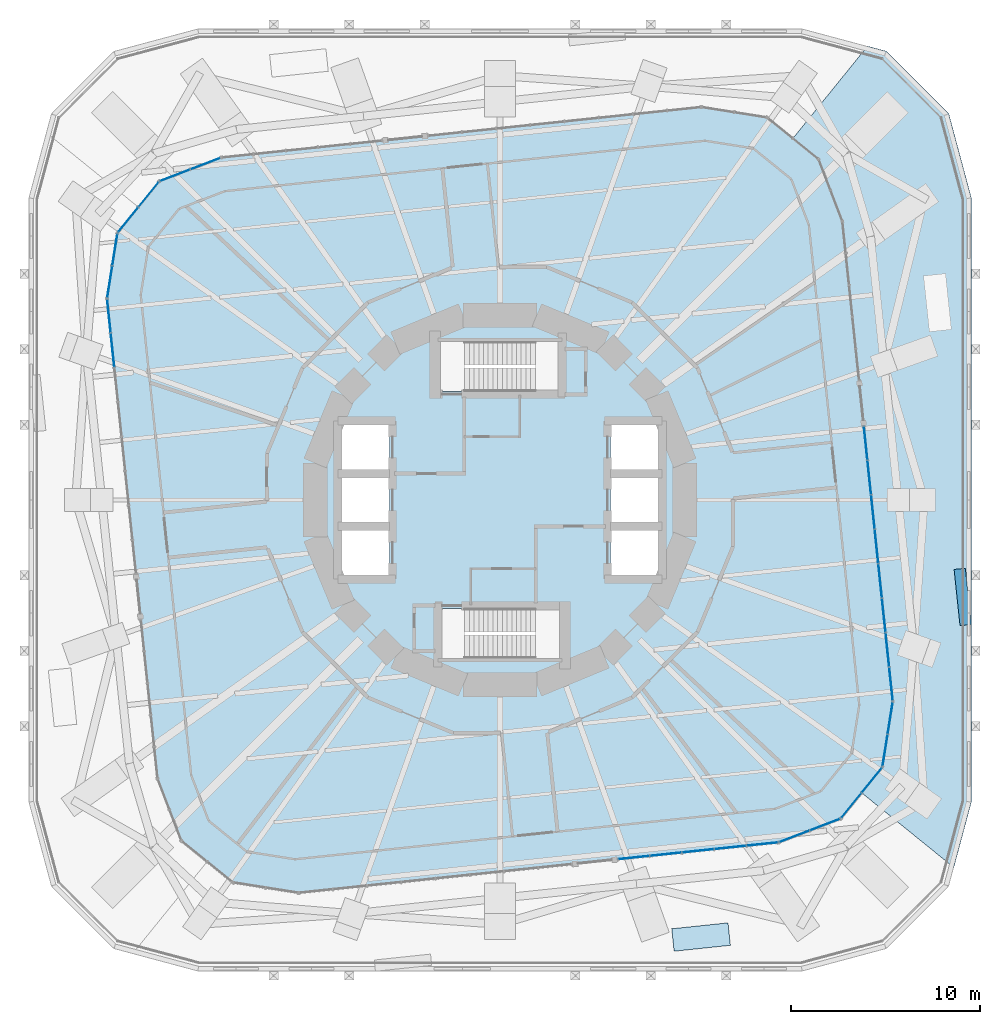
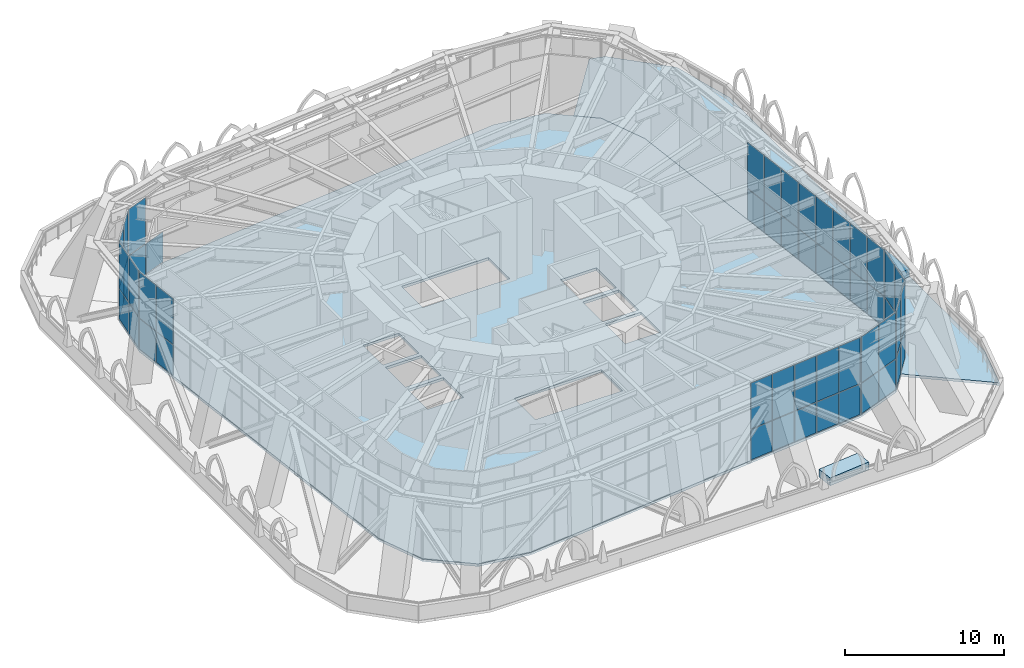
# One storey, part 13 of 20: 55 plates, 2 slabs, 9 elements without a shape of their own.
"""IFC4 building model written with IfcOpenShell, lengths in metres."""

from ifc_helpers import new_model, si_unit, direction, frame, origin, origin_2d, place, context, subcontext, project, spatial, polyline, rectangle, outline, extrude, material, layer, layer_set, type_object, element, aggregate, save


model = new_model("IFC4")

# Units and contexts
model_context = context("Model", 3, precision=1e-05, world=origin(), true_north=direction((0.0, 1.0)))
body_context = subcontext(model_context, "Body", "Model", "MODEL_VIEW")
ifc_project = project(units=[si_unit("LENGTHUNIT", "METRE"), si_unit("AREAUNIT", "SQUARE_METRE"), si_unit("VOLUMEUNIT", "CUBIC_METRE"), si_unit("PLANEANGLEUNIT", "RADIAN"), si_unit("MASSUNIT", "GRAM", prefix="KILO")], contexts=[model_context])

# Site, building, storey
site_placement = place(None, origin())
site = spatial("IfcSite", under=ifc_project, at=site_placement, CompositionType="ELEMENT")
building_placement = place(site_placement, origin())
building = spatial("IfcBuilding", under=site, at=building_placement, Name="Nakasero Lantern House", CompositionType="ELEMENT")
storey_placement = place(building_placement, frame((0.0, 0.0, 54.5)))
storey = spatial("IfcBuildingStorey", under=building, at=storey_placement, Name="L13", CompositionType="ELEMENT", Elevation=54.5)

# Slab
ifc_material_1 = material(Name="Concrete C35/45", Category="concrete")
ifc_layer_1 = layer(ifc_material_1, 0.199951171875)
ifc_layer_set_1 = layer_set([ifc_layer_1], Name="Composite floor slab 200")
slab_type_1 = type_object("IfcSlabType", Name="Composite floor slab 200", PredefinedType="FLOOR", material=ifc_layer_set_1)
slab_1_placement = place(storey_placement, frame((0.0, 0.0, -0.199951171875)))
element("IfcSlab", 1, at=slab_1_placement, inside=storey, type_object=slab_type_1, Name="Floor slab L13", PredefinedType="FLOOR", context=body_context, shape_type="SweptSolid", body=[
    extrude(outline(polyline([(20.82958984375, -10.68115234375), (18.153564453125, 14.778564453125), (16.892333984375, 18.064208984375), (14.1572265625, 20.279052734375), (10.68115234375, 20.82958984375), (-14.778564453125, 18.153564453125), (-18.064208984375, 16.892333984375), (-20.279052734375, 14.1572265625), (-20.82958984375, 10.68115234375), (-18.153564453125, -14.778564453125), (-16.892333984375, -18.064208984375), (-14.1572265625, -20.279052734375), (-10.68115234375, -20.82958984375), (14.778564453125, -18.153564453125), (18.064208984375, -16.892333984375), (20.279052734375, -14.1572265625), (20.82958984375, -10.68115234375)]), holes=[polyline([(-8.449951171875, -4.050048828125), (-5.85009765625, -4.050048828125), (-5.85009765625, -1.550048828125), (-8.449951171875, -1.550048828125), (-8.449951171875, -4.050048828125)]), polyline([(-8.449951171875, -1.25), (-5.85009765625, -1.25), (-5.85009765625, 1.25), (-8.449951171875, 1.25), (-8.449951171875, -1.25)]), polyline([(-8.449951171875, 1.550048828125), (-5.85009765625, 1.550048828125), (-5.85009765625, 4.050048828125), (-8.449951171875, 4.050048828125), (-8.449951171875, 1.550048828125)]), polyline([(5.85009765625, -4.050048828125), (8.449951171875, -4.050048828125), (8.449951171875, -1.550048828125), (5.85009765625, -1.550048828125), (5.85009765625, -4.050048828125)]), polyline([(5.85009765625, -1.25), (8.449951171875, -1.25), (8.449951171875, 1.25), (5.85009765625, 1.25), (5.85009765625, -1.25)]), polyline([(5.85009765625, 1.550048828125), (8.449951171875, 1.550048828125), (8.449951171875, 4.050048828125), (5.85009765625, 4.050048828125), (5.85009765625, 1.550048828125)]), polyline([(-3.14990234375, 5.75), (3.14990234375, 5.75), (3.14990234375, 8.39990234375), (-3.14990234375, 8.39990234375), (-3.14990234375, 5.75)]), polyline([(-3.14990234375, -8.39990234375), (3.14990234375, -8.39990234375), (3.14990234375, -5.75), (-3.14990234375, -5.75), (-3.14990234375, -8.39990234375)])]), origin(), (0.0, 0.0, 1.0), 0.199951171875),
])

# Curtain wall, plates
ifc_material_2 = material(Name="Aluminium 6063-T6 and glass", Category="aluminium")
curtain_wall_type = type_object("IfcCurtainWallType", Name="Sky lounge glazing CW-3", PredefinedType="USERDEFINED", material=ifc_material_2)
curtain_wall_1_placement = place(storey_placement, origin())
curtain_wall_1 = element("IfcCurtainWall", 2, at=curtain_wall_1_placement, inside=storey, type_object=curtain_wall_type, Name="Curtain wall CW-3 L13", ObjectType="STICK CURTAIN WALL", PredefinedType="USERDEFINED")
ifc_material_3 = material(Name="Glass", Category="glass")
ifc_layer_2 = layer(ifc_material_3, 0.028076171875)
ifc_layer_set_2 = layer_set([ifc_layer_2], Name="Glazed panel CW-3")
plate_type_1 = type_object("IfcPlateType", Name="Glazed panel CW-3", PredefinedType="CURTAIN_PANEL", material=ifc_layer_set_2)
plate_1_placement = place(storey_placement, frame((20.157470703125, -4.28515625, 0.06005859375), z_axis=(0.0, 0.0, 1.0), x_axis=(-0.104528463268, 0.994521895368, 0.0)))
plate_1 = element("IfcPlate", 3, at=plate_1_placement, type_object=plate_type_1, Name="CW-3 panel 4.1", PredefinedType="CURTAIN_PANEL", context=body_context, shape_type="SweptSolid", body=[
    extrude(rectangle(XDim=1.777587890625, YDim=0.028076171875, at=origin_2d()), origin(), (0.0, 0.0, 1.0), 2.31005859375),
])
plate_2_placement = place(storey_placement, frame((20.157470703125, -4.28515625, 2.43017578125), z_axis=(0.0, 0.0, 1.0), x_axis=(-0.104528463268, 0.994521895368, 0.0)))
plate_2 = element("IfcPlate", 4, at=plate_2_placement, type_object=plate_type_1, Name="CW-3 panel 4.2", PredefinedType="CURTAIN_PANEL", context=body_context, shape_type="SweptSolid", body=[
    extrude(rectangle(XDim=1.777587890625, YDim=0.028076171875, at=origin_2d()), origin(), (0.0, 0.0, 1.0), 3.510009765625),
])
plate_3_placement = place(storey_placement, frame((19.96533203125, -2.457763671875, 0.06005859375), z_axis=(0.0, 0.0, 1.0), x_axis=(-0.104528463268, 0.994521895368, 0.0)))
plate_3 = element("IfcPlate", 5, at=plate_3_placement, type_object=plate_type_1, Name="CW-3 panel 5.1", PredefinedType="CURTAIN_PANEL", context=body_context, shape_type="SweptSolid", body=[
    extrude(rectangle(XDim=1.777587890625, YDim=0.028076171875, at=origin_2d()), origin(), (0.0, 0.0, 1.0), 2.31005859375),
])
plate_4_placement = place(storey_placement, frame((19.96533203125, -2.457763671875, 2.43017578125), z_axis=(0.0, 0.0, 1.0), x_axis=(-0.104528463268, 0.994521895368, 0.0)))
plate_4 = element("IfcPlate", 6, at=plate_4_placement, type_object=plate_type_1, Name="CW-3 panel 5.2", PredefinedType="CURTAIN_PANEL", context=body_context, shape_type="SweptSolid", body=[
    extrude(rectangle(XDim=1.777587890625, YDim=0.028076171875, at=origin_2d()), origin(), (0.0, 0.0, 1.0), 3.510009765625),
])
plate_5_placement = place(storey_placement, frame((19.390625, 3.009521484375, 0.06005859375), z_axis=(0.0, 0.0, 1.0), x_axis=(-0.104528463268, 0.994521895368, 0.0)))
plate_5 = element("IfcPlate", 7, at=plate_5_placement, type_object=plate_type_1, Name="CW-3 panel 8.1", PredefinedType="CURTAIN_PANEL", context=body_context, shape_type="SweptSolid", body=[
    extrude(rectangle(XDim=1.74755859375, YDim=0.028076171875, at=origin_2d()), origin(), (0.0, 0.0, 1.0), 2.31005859375),
])
plate_6_placement = place(storey_placement, frame((19.390625, 3.009521484375, 2.43017578125), z_axis=(0.0, 0.0, 1.0), x_axis=(-0.104528463268, 0.994521895368, 0.0)))
plate_6 = element("IfcPlate", 8, at=plate_6_placement, type_object=plate_type_1, Name="CW-3 panel 8.2", PredefinedType="CURTAIN_PANEL", context=body_context, shape_type="SweptSolid", body=[
    extrude(rectangle(XDim=1.74755859375, YDim=0.028076171875, at=origin_2d()), origin(), (0.0, 0.0, 1.0), 3.510009765625),
])

# Curtain wall, plate
curtain_wall_2_placement = place(storey_placement, origin())
curtain_wall_2 = element("IfcCurtainWall", 9, at=curtain_wall_2_placement, inside=storey, type_object=curtain_wall_type, Name="Curtain wall CW-3 L13", ObjectType="STICK CURTAIN WALL", PredefinedType="USERDEFINED")
plate_7_placement = place(storey_placement, frame((-15.614013671875, 17.8330078125, 0.06005859375), z_axis=(0.0, 0.0, 1.0), x_axis=(-0.933580426591, -0.358367949301, 0.0)))
plate_7 = element("IfcPlate", 10, at=plate_7_placement, type_object=plate_type_1, Name="CW-3 panel 1.1", PredefinedType="CURTAIN_PANEL", context=body_context, shape_type="SweptSolid", body=[
    extrude(rectangle(XDim=1.669677734375, YDim=0.028076171875, at=origin_2d()), origin(), (0.0, 0.0, 1.0), 2.31005859375),
])

# Curtain wall, plates
curtain_wall_3_placement = place(storey_placement, origin())
curtain_wall_3 = element("IfcCurtainWall", 11, at=curtain_wall_3_placement, inside=storey, type_object=curtain_wall_type, Name="Curtain wall CW-3 L13", ObjectType="STICK CURTAIN WALL", PredefinedType="USERDEFINED")
plate_8_placement = place(storey_placement, frame((-20.4189453125, 13.2734375, 0.06005859375), z_axis=(0.0, 0.0, 1.0), x_axis=(-0.156434465023, -0.987688340598, 0.0)))
plate_8 = element("IfcPlate", 12, at=plate_8_placement, type_object=plate_type_1, Name="CW-3 panel 1.1", PredefinedType="CURTAIN_PANEL", context=body_context, shape_type="SweptSolid", body=[
    extrude(rectangle(XDim=1.669677734375, YDim=0.028076171875, at=origin_2d()), origin(), (0.0, 0.0, 1.0), 2.31005859375),
])
plate_9_placement = place(storey_placement, frame((-20.4189453125, 13.2734375, 2.43017578125), z_axis=(0.0, 0.0, 1.0), x_axis=(-0.156434465023, -0.987688340598, 0.0)))
plate_9 = element("IfcPlate", 13, at=plate_9_placement, type_object=plate_type_1, Name="CW-3 panel 1.2", PredefinedType="CURTAIN_PANEL", context=body_context, shape_type="SweptSolid", body=[
    extrude(rectangle(XDim=1.669677734375, YDim=0.028076171875, at=origin_2d()), origin(), (0.0, 0.0, 1.0), 3.510009765625),
])

curtain_wall_4_placement = place(storey_placement, origin())
curtain_wall_4 = element("IfcCurtainWall", 14, at=curtain_wall_4_placement, inside=storey, type_object=curtain_wall_type, Name="Curtain wall CW-3 L13", ObjectType="STICK CURTAIN WALL", PredefinedType="USERDEFINED")
plate_10_placement = place(storey_placement, frame((8.79150390625, -18.782958984375, 0.06005859375), z_axis=(0.0, 0.0, 1.0), x_axis=(0.994521895357, 0.104528463372, 0.0)))
plate_10 = element("IfcPlate", 15, at=plate_10_placement, type_object=plate_type_1, Name="CW-3 panel 2.1", PredefinedType="CURTAIN_PANEL", context=body_context, shape_type="SweptSolid", body=[
    extrude(rectangle(XDim=1.659912109375, YDim=0.028076171875, at=origin_2d()), origin(), (0.0, 0.0, 1.0), 2.31005859375),
])
plate_11_placement = place(storey_placement, frame((8.79150390625, -18.782958984375, 2.43017578125), z_axis=(0.0, 0.0, 1.0), x_axis=(0.994521895357, 0.104528463372, 0.0)))
plate_11 = element("IfcPlate", 16, at=plate_11_placement, type_object=plate_type_1, Name="CW-3 panel 2.2", PredefinedType="CURTAIN_PANEL", context=body_context, shape_type="SweptSolid", body=[
    extrude(rectangle(XDim=1.659912109375, YDim=0.028076171875, at=origin_2d()), origin(), (0.0, 0.0, 1.0), 3.510009765625),
])
plate_12_placement = place(storey_placement, frame((10.502197265625, -18.60302734375, 0.06005859375), z_axis=(0.0, 0.0, 1.0), x_axis=(0.994521895357, 0.104528463372, 0.0)))
plate_12 = element("IfcPlate", 17, at=plate_12_placement, type_object=plate_type_1, Name="CW-3 panel 3.1", PredefinedType="CURTAIN_PANEL", context=body_context, shape_type="SweptSolid", body=[
    extrude(rectangle(XDim=1.659912109375, YDim=0.028076171875, at=origin_2d()), origin(), (0.0, 0.0, 1.0), 2.31005859375),
])
plate_13_placement = place(storey_placement, frame((10.502197265625, -18.60302734375, 2.43017578125), z_axis=(0.0, 0.0, 1.0), x_axis=(0.994521895357, 0.104528463372, 0.0)))
plate_13 = element("IfcPlate", 18, at=plate_13_placement, type_object=plate_type_1, Name="CW-3 panel 3.2", PredefinedType="CURTAIN_PANEL", context=body_context, shape_type="SweptSolid", body=[
    extrude(rectangle(XDim=1.659912109375, YDim=0.028076171875, at=origin_2d()), origin(), (0.0, 0.0, 1.0), 3.510009765625),
])
plate_14_placement = place(storey_placement, frame((12.212646484375, -18.42333984375, 0.06005859375), z_axis=(0.0, 0.0, 1.0), x_axis=(0.994521895357, 0.104528463372, 0.0)))
plate_14 = element("IfcPlate", 19, at=plate_14_placement, type_object=plate_type_1, Name="CW-3 panel 4.1", PredefinedType="CURTAIN_PANEL", context=body_context, shape_type="SweptSolid", body=[
    extrude(rectangle(XDim=1.659912109375, YDim=0.028076171875, at=origin_2d()), origin(), (0.0, 0.0, 1.0), 2.31005859375),
])
plate_15_placement = place(storey_placement, frame((12.212646484375, -18.42333984375, 2.43017578125), z_axis=(0.0, 0.0, 1.0), x_axis=(0.994521895357, 0.104528463372, 0.0)))
plate_15 = element("IfcPlate", 20, at=plate_15_placement, type_object=plate_type_1, Name="CW-3 panel 4.2", PredefinedType="CURTAIN_PANEL", context=body_context, shape_type="SweptSolid", body=[
    extrude(rectangle(XDim=1.659912109375, YDim=0.028076171875, at=origin_2d()), origin(), (0.0, 0.0, 1.0), 3.510009765625),
])

curtain_wall_5_placement = place(storey_placement, origin())
curtain_wall_5 = element("IfcCurtainWall", 21, at=curtain_wall_5_placement, inside=storey, type_object=curtain_wall_type, Name="Curtain wall CW-3 L13", ObjectType="STICK CURTAIN WALL", PredefinedType="USERDEFINED")
plate_16_placement = place(storey_placement, frame((15.614013671875, -17.8330078125, 0.06005859375), z_axis=(0.0, 0.0, 1.0), x_axis=(0.933580426591, 0.358367949301, 0.0)))
plate_16 = element("IfcPlate", 22, at=plate_16_placement, type_object=plate_type_1, Name="CW-3 panel 1.1", PredefinedType="CURTAIN_PANEL", context=body_context, shape_type="SweptSolid", body=[
    extrude(rectangle(XDim=1.669677734375, YDim=0.028076171875, at=origin_2d()), origin(), (0.0, 0.0, 1.0), 2.31005859375),
])
plate_17_placement = place(storey_placement, frame((15.614013671875, -17.8330078125, 2.43017578125), z_axis=(0.0, 0.0, 1.0), x_axis=(0.933580426591, 0.358367949301, 0.0)))
plate_17 = element("IfcPlate", 23, at=plate_17_placement, type_object=plate_type_1, Name="CW-3 panel 1.2", PredefinedType="CURTAIN_PANEL", context=body_context, shape_type="SweptSolid", body=[
    extrude(rectangle(XDim=1.669677734375, YDim=0.028076171875, at=origin_2d()), origin(), (0.0, 0.0, 1.0), 3.510009765625),
])

curtain_wall_6_placement = place(storey_placement, origin())
curtain_wall_6 = element("IfcCurtainWall", 24, at=curtain_wall_6_placement, inside=storey, type_object=curtain_wall_type, Name="Curtain wall CW-3 L13", ObjectType="STICK CURTAIN WALL", PredefinedType="USERDEFINED")
plate_18_placement = place(storey_placement, frame((20.4189453125, -13.2734375, 0.06005859375), z_axis=(0.0, 0.0, 1.0), x_axis=(0.156434465023, 0.987688340598, 0.0)))
plate_18 = element("IfcPlate", 25, at=plate_18_placement, type_object=plate_type_1, Name="CW-3 panel 1.1", PredefinedType="CURTAIN_PANEL", context=body_context, shape_type="SweptSolid", body=[
    extrude(rectangle(XDim=1.669677734375, YDim=0.028076171875, at=origin_2d()), origin(), (0.0, 0.0, 1.0), 2.31005859375),
])
plate_19_placement = place(storey_placement, frame((20.4189453125, -13.2734375, 2.43017578125), z_axis=(0.0, 0.0, 1.0), x_axis=(0.156434465023, 0.987688340598, 0.0)))
plate_19 = element("IfcPlate", 26, at=plate_19_placement, type_object=plate_type_1, Name="CW-3 panel 1.2", PredefinedType="CURTAIN_PANEL", context=body_context, shape_type="SweptSolid", body=[
    extrude(rectangle(XDim=1.669677734375, YDim=0.028076171875, at=origin_2d()), origin(), (0.0, 0.0, 1.0), 3.510009765625),
])

# Plate
ifc_material_4 = material(Name="Aluminium 6063-T6 and insulation", Category="aluminium")
ifc_layer_3 = layer(ifc_material_4, 0.028076171875)
ifc_layer_set_3 = layer_set([ifc_layer_3], Name="Insulated panel CW-3")
plate_type_2 = type_object("IfcPlateType", Name="Insulated panel CW-3", PredefinedType="CURTAIN_PANEL", material=ifc_layer_set_3)
plate_20_placement = place(storey_placement, frame((20.73193359375, -9.752685546875, 0.06005859375), z_axis=(0.0, 0.0, 1.0), x_axis=(-0.104528463268, 0.994521895368, 0.0)))
plate_20 = element("IfcPlate", 27, at=plate_20_placement, type_object=plate_type_2, Name="CW-3 panel 1.1", PredefinedType="CURTAIN_PANEL", context=body_context, shape_type="SweptSolid", body=[
    extrude(rectangle(XDim=1.74755859375, YDim=0.028076171875, at=origin_2d()), origin(), (0.0, 0.0, 1.0), 2.31005859375),
])

plate_21_placement = place(storey_placement, frame((20.73193359375, -9.752685546875, 2.43017578125), z_axis=(0.0, 0.0, 1.0), x_axis=(-0.104528463268, 0.994521895368, 0.0)))
plate_21 = element("IfcPlate", 28, at=plate_21_placement, type_object=plate_type_2, Name="CW-3 panel 1.2", PredefinedType="CURTAIN_PANEL", context=body_context, shape_type="SweptSolid", body=[
    extrude(rectangle(XDim=1.74755859375, YDim=0.028076171875, at=origin_2d()), origin(), (0.0, 0.0, 1.0), 3.510009765625),
])

plate_22_placement = place(storey_placement, frame((20.54150390625, -7.940185546875, 0.06005859375), z_axis=(0.0, 0.0, 1.0), x_axis=(-0.104528463268, 0.994521895368, 0.0)))
plate_22 = element("IfcPlate", 29, at=plate_22_placement, type_object=plate_type_2, Name="CW-3 panel 2.1", PredefinedType="CURTAIN_PANEL", context=body_context, shape_type="SweptSolid", body=[
    extrude(rectangle(XDim=1.777587890625, YDim=0.028076171875, at=origin_2d()), origin(), (0.0, 0.0, 1.0), 2.31005859375),
])

plate_23_placement = place(storey_placement, frame((20.54150390625, -7.940185546875, 2.43017578125), z_axis=(0.0, 0.0, 1.0), x_axis=(-0.104528463268, 0.994521895368, 0.0)))
plate_23 = element("IfcPlate", 30, at=plate_23_placement, type_object=plate_type_2, Name="CW-3 panel 2.2", PredefinedType="CURTAIN_PANEL", context=body_context, shape_type="SweptSolid", body=[
    extrude(rectangle(XDim=1.777587890625, YDim=0.028076171875, at=origin_2d()), origin(), (0.0, 0.0, 1.0), 3.510009765625),
])

plate_24_placement = place(storey_placement, frame((20.349365234375, -6.112548828125, 0.06005859375), z_axis=(0.0, 0.0, 1.0), x_axis=(-0.104528463268, 0.994521895368, 0.0)))
plate_24 = element("IfcPlate", 31, at=plate_24_placement, type_object=plate_type_2, Name="CW-3 panel 3.1", PredefinedType="CURTAIN_PANEL", context=body_context, shape_type="SweptSolid", body=[
    extrude(rectangle(XDim=1.777587890625, YDim=0.028076171875, at=origin_2d()), origin(), (0.0, 0.0, 1.0), 2.31005859375),
])

plate_25_placement = place(storey_placement, frame((20.349365234375, -6.112548828125, 2.43017578125), z_axis=(0.0, 0.0, 1.0), x_axis=(-0.104528463268, 0.994521895368, 0.0)))
plate_25 = element("IfcPlate", 32, at=plate_25_placement, type_object=plate_type_2, Name="CW-3 panel 3.2", PredefinedType="CURTAIN_PANEL", context=body_context, shape_type="SweptSolid", body=[
    extrude(rectangle(XDim=1.777587890625, YDim=0.028076171875, at=origin_2d()), origin(), (0.0, 0.0, 1.0), 3.510009765625),
])

plate_26_placement = place(storey_placement, frame((19.773193359375, -0.63037109375, 0.06005859375), z_axis=(0.0, 0.0, 1.0), x_axis=(-0.104528463268, 0.994521895368, 0.0)))
plate_26 = element("IfcPlate", 33, at=plate_26_placement, type_object=plate_type_2, Name="CW-3 panel 6.1", PredefinedType="CURTAIN_PANEL", context=body_context, shape_type="SweptSolid", body=[
    extrude(rectangle(XDim=1.777587890625, YDim=0.028076171875, at=origin_2d()), origin(), (0.0, 0.0, 1.0), 2.31005859375),
])

plate_27_placement = place(storey_placement, frame((19.773193359375, -0.63037109375, 2.43017578125), z_axis=(0.0, 0.0, 1.0), x_axis=(-0.104528463268, 0.994521895368, 0.0)))
plate_27 = element("IfcPlate", 34, at=plate_27_placement, type_object=plate_type_2, Name="CW-3 panel 6.2", PredefinedType="CURTAIN_PANEL", context=body_context, shape_type="SweptSolid", body=[
    extrude(rectangle(XDim=1.777587890625, YDim=0.028076171875, at=origin_2d()), origin(), (0.0, 0.0, 1.0), 3.510009765625),
])

plate_28_placement = place(storey_placement, frame((19.5810546875, 1.197021484375, 0.06005859375), z_axis=(0.0, 0.0, 1.0), x_axis=(-0.104528463268, 0.994521895368, 0.0)))
plate_28 = element("IfcPlate", 35, at=plate_28_placement, type_object=plate_type_2, Name="CW-3 panel 7.1", PredefinedType="CURTAIN_PANEL", context=body_context, shape_type="SweptSolid", body=[
    extrude(rectangle(XDim=1.777587890625, YDim=0.028076171875, at=origin_2d()), origin(), (0.0, 0.0, 1.0), 2.31005859375),
])

plate_29_placement = place(storey_placement, frame((19.5810546875, 1.197021484375, 2.43017578125), z_axis=(0.0, 0.0, 1.0), x_axis=(-0.104528463268, 0.994521895368, 0.0)))
plate_29 = element("IfcPlate", 36, at=plate_29_placement, type_object=plate_type_2, Name="CW-3 panel 7.2", PredefinedType="CURTAIN_PANEL", context=body_context, shape_type="SweptSolid", body=[
    extrude(rectangle(XDim=1.777587890625, YDim=0.028076171875, at=origin_2d()), origin(), (0.0, 0.0, 1.0), 3.510009765625),
])

aggregate(curtain_wall_1, [plate_20, plate_21, plate_22, plate_23, plate_24, plate_25, plate_1, plate_2, plate_3, plate_4, plate_26, plate_27, plate_28, plate_29, plate_5, plate_6])

plate_30_placement = place(storey_placement, frame((-17.228759765625, 17.213134765625, 0.06005859375), z_axis=(0.0, 0.0, 1.0), x_axis=(-0.933580426591, -0.358367949301, 0.0)))
plate_30 = element("IfcPlate", 37, at=plate_30_placement, type_object=plate_type_2, Name="CW-3 panel 2.1", PredefinedType="CURTAIN_PANEL", context=body_context, shape_type="SweptSolid", body=[
    extrude(rectangle(XDim=1.669677734375, YDim=0.028076171875, at=origin_2d()), origin(), (0.0, 0.0, 1.0), 2.31005859375),
])

plate_31_placement = place(storey_placement, frame((-17.228759765625, 17.213134765625, 2.43017578125), z_axis=(0.0, 0.0, 1.0), x_axis=(-0.933580426591, -0.358367949301, 0.0)))
plate_31 = element("IfcPlate", 38, at=plate_31_placement, type_object=plate_type_2, Name="CW-3 panel 2.2", PredefinedType="CURTAIN_PANEL", context=body_context, shape_type="SweptSolid", body=[
    extrude(rectangle(XDim=1.669677734375, YDim=0.028076171875, at=origin_2d()), origin(), (0.0, 0.0, 1.0), 3.510009765625),
])

aggregate(curtain_wall_2, [plate_7, plate_30, plate_31])

# Curtain wall, plates
curtain_wall_7_placement = place(storey_placement, origin())
curtain_wall_7 = element("IfcCurtainWall", 39, at=curtain_wall_7_placement, inside=storey, type_object=curtain_wall_type, Name="Curtain wall CW-3 L13", ObjectType="STICK CURTAIN WALL", PredefinedType="USERDEFINED")
plate_32_placement = place(storey_placement, frame((-18.62744140625, 16.197021484375, 0.06005859375), z_axis=(0.0, 0.0, 1.0), x_axis=(-0.629320390941, -0.777145961545, 0.0)))
plate_32 = element("IfcPlate", 40, at=plate_32_placement, type_object=plate_type_2, Name="CW-3 panel 1.1", PredefinedType="CURTAIN_PANEL", context=body_context, shape_type="SweptSolid", body=[
    extrude(rectangle(XDim=1.669677734375, YDim=0.028076171875, at=origin_2d()), origin(), (0.0, 0.0, 1.0), 2.31005859375),
])
plate_33_placement = place(storey_placement, frame((-18.62744140625, 16.197021484375, 2.43017578125), z_axis=(0.0, 0.0, 1.0), x_axis=(-0.629320390941, -0.777145961545, 0.0)))
plate_33 = element("IfcPlate", 41, at=plate_33_placement, type_object=plate_type_2, Name="CW-3 panel 1.2", PredefinedType="CURTAIN_PANEL", context=body_context, shape_type="SweptSolid", body=[
    extrude(rectangle(XDim=1.669677734375, YDim=0.028076171875, at=origin_2d()), origin(), (0.0, 0.0, 1.0), 3.510009765625),
])
plate_34_placement = place(storey_placement, frame((-19.7158203125, 14.852783203125, 0.06005859375), z_axis=(0.0, 0.0, 1.0), x_axis=(-0.629320390941, -0.777145961545, 0.0)))
plate_34 = element("IfcPlate", 42, at=plate_34_placement, type_object=plate_type_2, Name="CW-3 panel 2.1", PredefinedType="CURTAIN_PANEL", context=body_context, shape_type="SweptSolid", body=[
    extrude(rectangle(XDim=1.669677734375, YDim=0.028076171875, at=origin_2d()), origin(), (0.0, 0.0, 1.0), 2.31005859375),
])
plate_35_placement = place(storey_placement, frame((-19.7158203125, 14.852783203125, 2.43017578125), z_axis=(0.0, 0.0, 1.0), x_axis=(-0.629320390941, -0.777145961545, 0.0)))
plate_35 = element("IfcPlate", 43, at=plate_35_placement, type_object=plate_type_2, Name="CW-3 panel 2.2", PredefinedType="CURTAIN_PANEL", context=body_context, shape_type="SweptSolid", body=[
    extrude(rectangle(XDim=1.669677734375, YDim=0.028076171875, at=origin_2d()), origin(), (0.0, 0.0, 1.0), 3.510009765625),
])
aggregate(curtain_wall_7, [plate_32, plate_33, plate_34, plate_35])

# Plate
plate_36_placement = place(storey_placement, frame((-20.689697265625, 11.565185546875, 0.06005859375), z_axis=(0.0, 0.0, 1.0), x_axis=(-0.156434465023, -0.987688340598, 0.0)))
plate_36 = element("IfcPlate", 44, at=plate_36_placement, type_object=plate_type_2, Name="CW-3 panel 2.1", PredefinedType="CURTAIN_PANEL", context=body_context, shape_type="SweptSolid", body=[
    extrude(rectangle(XDim=1.669677734375, YDim=0.028076171875, at=origin_2d()), origin(), (0.0, 0.0, 1.0), 2.31005859375),
])

plate_37_placement = place(storey_placement, frame((-20.689697265625, 11.565185546875, 2.43017578125), z_axis=(0.0, 0.0, 1.0), x_axis=(-0.156434465023, -0.987688340598, 0.0)))
plate_37 = element("IfcPlate", 45, at=plate_37_placement, type_object=plate_type_2, Name="CW-3 panel 2.2", PredefinedType="CURTAIN_PANEL", context=body_context, shape_type="SweptSolid", body=[
    extrude(rectangle(XDim=1.669677734375, YDim=0.028076171875, at=origin_2d()), origin(), (0.0, 0.0, 1.0), 3.510009765625),
])

aggregate(curtain_wall_3, [plate_8, plate_9, plate_36, plate_37])

# Curtain wall, plates
curtain_wall_8_placement = place(storey_placement, origin())
curtain_wall_8 = element("IfcCurtainWall", 46, at=curtain_wall_8_placement, inside=storey, type_object=curtain_wall_type, Name="Curtain wall CW-3 L13", ObjectType="STICK CURTAIN WALL", PredefinedType="USERDEFINED")
plate_38_placement = place(storey_placement, frame((-20.73193359375, 9.752685546875, 0.06005859375), z_axis=(0.0, 0.0, 1.0), x_axis=(0.104528463268, -0.994521895368, 0.0)))
plate_38 = element("IfcPlate", 47, at=plate_38_placement, type_object=plate_type_2, Name="CW-3 panel 1.1", PredefinedType="CURTAIN_PANEL", context=body_context, shape_type="SweptSolid", body=[
    extrude(rectangle(XDim=1.74755859375, YDim=0.028076171875, at=origin_2d()), origin(), (0.0, 0.0, 1.0), 2.31005859375),
])
plate_39_placement = place(storey_placement, frame((-20.73193359375, 9.752685546875, 2.43017578125), z_axis=(0.0, 0.0, 1.0), x_axis=(0.104528463268, -0.994521895368, 0.0)))
plate_39 = element("IfcPlate", 48, at=plate_39_placement, type_object=plate_type_2, Name="CW-3 panel 1.2", PredefinedType="CURTAIN_PANEL", context=body_context, shape_type="SweptSolid", body=[
    extrude(rectangle(XDim=1.74755859375, YDim=0.028076171875, at=origin_2d()), origin(), (0.0, 0.0, 1.0), 3.510009765625),
])
plate_40_placement = place(storey_placement, frame((-20.54150390625, 7.940185546875, 0.06005859375), z_axis=(0.0, 0.0, 1.0), x_axis=(0.104528463268, -0.994521895368, 0.0)))
plate_40 = element("IfcPlate", 49, at=plate_40_placement, type_object=plate_type_2, Name="CW-3 panel 2.1", PredefinedType="CURTAIN_PANEL", context=body_context, shape_type="SweptSolid", body=[
    extrude(rectangle(XDim=1.777587890625, YDim=0.028076171875, at=origin_2d()), origin(), (0.0, 0.0, 1.0), 2.31005859375),
])
plate_41_placement = place(storey_placement, frame((-20.54150390625, 7.940185546875, 2.43017578125), z_axis=(0.0, 0.0, 1.0), x_axis=(0.104528463268, -0.994521895368, 0.0)))
plate_41 = element("IfcPlate", 50, at=plate_41_placement, type_object=plate_type_2, Name="CW-3 panel 2.2", PredefinedType="CURTAIN_PANEL", context=body_context, shape_type="SweptSolid", body=[
    extrude(rectangle(XDim=1.777587890625, YDim=0.028076171875, at=origin_2d()), origin(), (0.0, 0.0, 1.0), 3.510009765625),
])
aggregate(curtain_wall_8, [plate_38, plate_39, plate_40, plate_41])

# Plate
plate_42_placement = place(storey_placement, frame((7.095947265625, -18.961181640625, 0.06005859375), z_axis=(0.0, 0.0, 1.0), x_axis=(0.994521895357, 0.104528463372, 0.0)))
plate_42 = element("IfcPlate", 51, at=plate_42_placement, type_object=plate_type_2, Name="CW-3 panel 1.1", PredefinedType="CURTAIN_PANEL", context=body_context, shape_type="SweptSolid", body=[
    extrude(rectangle(XDim=1.6298828125, YDim=0.028076171875, at=origin_2d()), origin(), (0.0, 0.0, 1.0), 2.31005859375),
])

plate_43_placement = place(storey_placement, frame((7.095947265625, -18.961181640625, 2.43017578125), z_axis=(0.0, 0.0, 1.0), x_axis=(0.994521895357, 0.104528463372, 0.0)))
plate_43 = element("IfcPlate", 52, at=plate_43_placement, type_object=plate_type_2, Name="CW-3 panel 1.2", PredefinedType="CURTAIN_PANEL", context=body_context, shape_type="SweptSolid", body=[
    extrude(rectangle(XDim=1.6298828125, YDim=0.028076171875, at=origin_2d()), origin(), (0.0, 0.0, 1.0), 3.510009765625),
])

plate_44_placement = place(storey_placement, frame((13.908447265625, -18.2451171875, 0.06005859375), z_axis=(0.0, 0.0, 1.0), x_axis=(0.994521895357, 0.104528463372, 0.0)))
plate_44 = element("IfcPlate", 53, at=plate_44_placement, type_object=plate_type_2, Name="CW-3 panel 5.1", PredefinedType="CURTAIN_PANEL", context=body_context, shape_type="SweptSolid", body=[
    extrude(rectangle(XDim=1.6298828125, YDim=0.028076171875, at=origin_2d()), origin(), (0.0, 0.0, 1.0), 2.31005859375),
])

plate_45_placement = place(storey_placement, frame((13.908447265625, -18.2451171875, 2.43017578125), z_axis=(0.0, 0.0, 1.0), x_axis=(0.994521895357, 0.104528463372, 0.0)))
plate_45 = element("IfcPlate", 54, at=plate_45_placement, type_object=plate_type_2, Name="CW-3 panel 5.2", PredefinedType="CURTAIN_PANEL", context=body_context, shape_type="SweptSolid", body=[
    extrude(rectangle(XDim=1.6298828125, YDim=0.028076171875, at=origin_2d()), origin(), (0.0, 0.0, 1.0), 3.510009765625),
])

aggregate(curtain_wall_4, [plate_42, plate_43, plate_10, plate_11, plate_12, plate_13, plate_14, plate_15, plate_44, plate_45])

plate_46_placement = place(storey_placement, frame((17.228759765625, -17.213134765625, 0.06005859375), z_axis=(0.0, 0.0, 1.0), x_axis=(0.933580426591, 0.358367949301, 0.0)))
plate_46 = element("IfcPlate", 55, at=plate_46_placement, type_object=plate_type_2, Name="CW-3 panel 2.1", PredefinedType="CURTAIN_PANEL", context=body_context, shape_type="SweptSolid", body=[
    extrude(rectangle(XDim=1.669677734375, YDim=0.028076171875, at=origin_2d()), origin(), (0.0, 0.0, 1.0), 2.31005859375),
])

plate_47_placement = place(storey_placement, frame((17.228759765625, -17.213134765625, 2.43017578125), z_axis=(0.0, 0.0, 1.0), x_axis=(0.933580426591, 0.358367949301, 0.0)))
plate_47 = element("IfcPlate", 56, at=plate_47_placement, type_object=plate_type_2, Name="CW-3 panel 2.2", PredefinedType="CURTAIN_PANEL", context=body_context, shape_type="SweptSolid", body=[
    extrude(rectangle(XDim=1.669677734375, YDim=0.028076171875, at=origin_2d()), origin(), (0.0, 0.0, 1.0), 3.510009765625),
])

aggregate(curtain_wall_5, [plate_16, plate_17, plate_46, plate_47])

# Curtain wall, plates
curtain_wall_9_placement = place(storey_placement, origin())
curtain_wall_9 = element("IfcCurtainWall", 57, at=curtain_wall_9_placement, inside=storey, type_object=curtain_wall_type, Name="Curtain wall CW-3 L13", ObjectType="STICK CURTAIN WALL", PredefinedType="USERDEFINED")
plate_48_placement = place(storey_placement, frame((18.62744140625, -16.197021484375, 0.06005859375), z_axis=(0.0, 0.0, 1.0), x_axis=(0.629320390941, 0.777145961545, 0.0)))
plate_48 = element("IfcPlate", 58, at=plate_48_placement, type_object=plate_type_2, Name="CW-3 panel 1.1", PredefinedType="CURTAIN_PANEL", context=body_context, shape_type="SweptSolid", body=[
    extrude(rectangle(XDim=1.669677734375, YDim=0.028076171875, at=origin_2d()), origin(), (0.0, 0.0, 1.0), 2.31005859375),
])
plate_49_placement = place(storey_placement, frame((18.62744140625, -16.197021484375, 2.43017578125), z_axis=(0.0, 0.0, 1.0), x_axis=(0.629320390941, 0.777145961545, 0.0)))
plate_49 = element("IfcPlate", 59, at=plate_49_placement, type_object=plate_type_2, Name="CW-3 panel 1.2", PredefinedType="CURTAIN_PANEL", context=body_context, shape_type="SweptSolid", body=[
    extrude(rectangle(XDim=1.669677734375, YDim=0.028076171875, at=origin_2d()), origin(), (0.0, 0.0, 1.0), 3.510009765625),
])
plate_50_placement = place(storey_placement, frame((19.7158203125, -14.852783203125, 0.06005859375), z_axis=(0.0, 0.0, 1.0), x_axis=(0.629320390941, 0.777145961545, 0.0)))
plate_50 = element("IfcPlate", 60, at=plate_50_placement, type_object=plate_type_2, Name="CW-3 panel 2.1", PredefinedType="CURTAIN_PANEL", context=body_context, shape_type="SweptSolid", body=[
    extrude(rectangle(XDim=1.669677734375, YDim=0.028076171875, at=origin_2d()), origin(), (0.0, 0.0, 1.0), 2.31005859375),
])
plate_51_placement = place(storey_placement, frame((19.7158203125, -14.852783203125, 2.43017578125), z_axis=(0.0, 0.0, 1.0), x_axis=(0.629320390941, 0.777145961545, 0.0)))
plate_51 = element("IfcPlate", 61, at=plate_51_placement, type_object=plate_type_2, Name="CW-3 panel 2.2", PredefinedType="CURTAIN_PANEL", context=body_context, shape_type="SweptSolid", body=[
    extrude(rectangle(XDim=1.669677734375, YDim=0.028076171875, at=origin_2d()), origin(), (0.0, 0.0, 1.0), 3.510009765625),
])
aggregate(curtain_wall_9, [plate_48, plate_49, plate_50, plate_51])

# Plate
plate_52_placement = place(storey_placement, frame((20.689697265625, -11.565185546875, 0.06005859375), z_axis=(0.0, 0.0, 1.0), x_axis=(0.156434465023, 0.987688340598, 0.0)))
plate_52 = element("IfcPlate", 62, at=plate_52_placement, type_object=plate_type_2, Name="CW-3 panel 2.1", PredefinedType="CURTAIN_PANEL", context=body_context, shape_type="SweptSolid", body=[
    extrude(rectangle(XDim=1.669677734375, YDim=0.028076171875, at=origin_2d()), origin(), (0.0, 0.0, 1.0), 2.31005859375),
])

plate_53_placement = place(storey_placement, frame((20.689697265625, -11.565185546875, 2.43017578125), z_axis=(0.0, 0.0, 1.0), x_axis=(0.156434465023, 0.987688340598, 0.0)))
plate_53 = element("IfcPlate", 63, at=plate_53_placement, type_object=plate_type_2, Name="CW-3 panel 2.2", PredefinedType="CURTAIN_PANEL", context=body_context, shape_type="SweptSolid", body=[
    extrude(rectangle(XDim=1.669677734375, YDim=0.028076171875, at=origin_2d()), origin(), (0.0, 0.0, 1.0), 3.510009765625),
])

aggregate(curtain_wall_6, [plate_18, plate_19, plate_52, plate_53])

# Plates
ifc_material_5 = material(Name="Aluminium 6063-T6", Category="aluminium")
ifc_layer_4 = layer(ifc_material_5, 0.60009765625)
ifc_layer_set_4 = layer_set([ifc_layer_4], Name="Sky garden planter 1200x3000")
plate_type_3 = type_object("IfcPlateType", Name="Sky garden planter 1200x3000", PredefinedType="USERDEFINED", material=ifc_layer_set_4)
plate_54_placement = place(storey_placement, frame((24.531982421875, -5.143798828125, 0.0), z_axis=(0.0, 0.0, 1.0), x_axis=(0.994521895368, 0.104528463268, 0.0)))
element("IfcPlate", 64, at=plate_54_placement, inside=storey, type_object=plate_type_3, Name="Sky garden PLANTER L13 00", ObjectType="PLANTER", PredefinedType="USERDEFINED", context=body_context, shape_type="SweptSolid", body=[
    extrude(rectangle(XDim=0.60009765625, YDim=3.0, at=origin_2d()), origin(), (0.0, 0.0, 1.0), 0.60009765625),
])
plate_55_placement = place(storey_placement, frame((10.66064453125, -23.172607421875, 0.0), z_axis=(0.0, 0.0, 1.0), x_axis=(0.104528463268, -0.994521895368, 0.0)))
element("IfcPlate", 65, at=plate_55_placement, inside=storey, type_object=plate_type_3, Name="Sky garden PLANTER L13 31", ObjectType="PLANTER", PredefinedType="USERDEFINED", context=body_context, shape_type="SweptSolid", body=[
    extrude(rectangle(XDim=1.199951171875, YDim=3.0, at=origin_2d()), origin(), (0.0, 0.0, 1.0), 0.60009765625),
])

# Slab
ifc_material_6 = material(Name="Concrete C35/45", Category="concrete")
ifc_layer_5 = layer(ifc_material_6, 0.199951171875)
ifc_layer_set_5 = layer_set([ifc_layer_5], Name="Sky garden terrace slab 200")
slab_type_2 = type_object("IfcSlabType", Name="Sky garden terrace slab 200", PredefinedType="USERDEFINED", material=ifc_layer_set_5)
slab_2_placement = place(storey_placement, frame((0.0, 0.0, -0.199951171875)))
element("IfcSlab", 66, at=slab_2_placement, inside=storey, type_object=slab_type_2, Name="Sky garden terrace L13 E", ObjectType="TERRACE", PredefinedType="USERDEFINED", context=body_context, shape_type="SweptSolid", body=[
    extrude(outline(polyline([(24.0654296875, -19.48779296875), (25.0, -16.0), (25.0, 16.0), (23.794189453125, 20.5), (20.5, 23.794189453125), (19.48779296875, 24.0654296875), (15.52490234375, 19.171630859375), (16.892333984375, 18.064208984375), (18.153564453125, 14.778564453125), (20.82958984375, -10.68115234375), (20.279052734375, -14.1572265625), (19.171630859375, -15.52490234375), (24.0654296875, -19.48779296875)])), origin(), (0.0, 0.0, 1.0), 0.199951171875),
])

save(model, "model.ifc")
